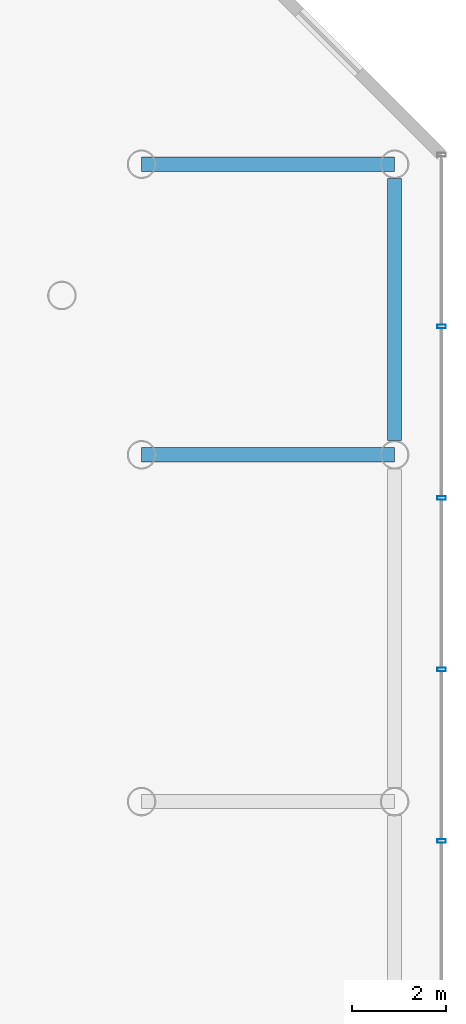
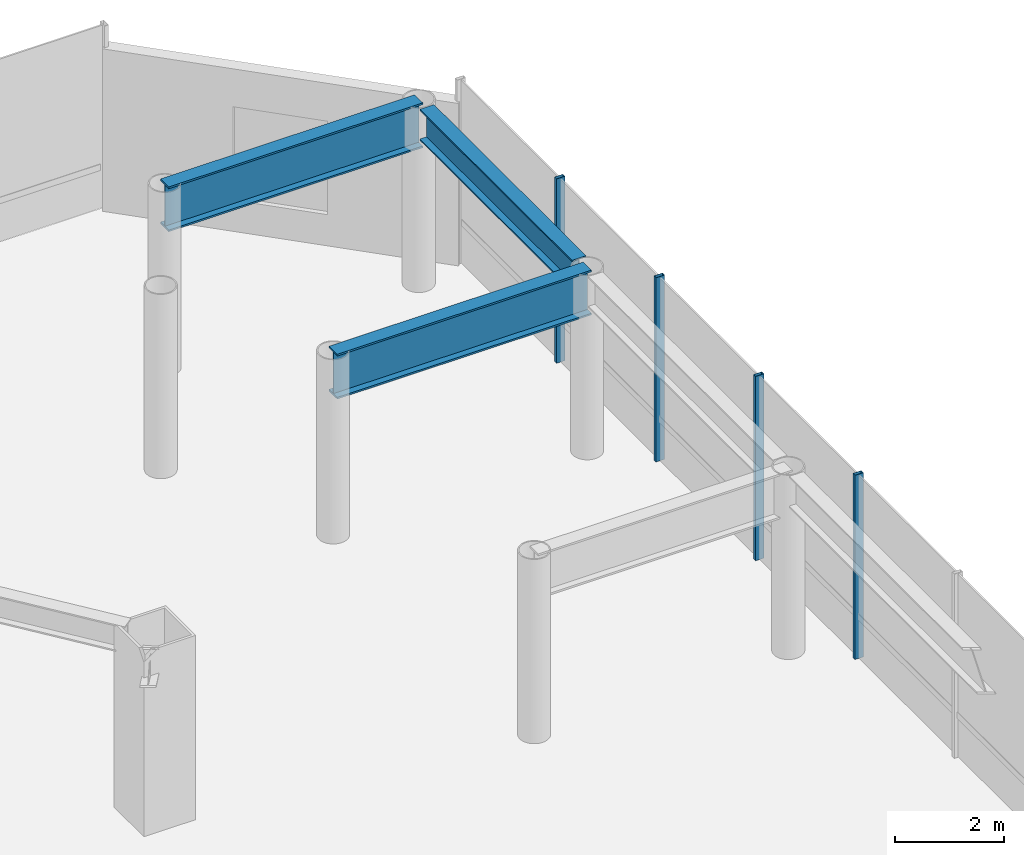
# One storey, part 30 of 37: 4 members, 3 beams, 1 element without a shape of its own.
"""IFC4 building model written with IfcOpenShell, lengths in metres."""

from ifc_helpers import new_model, si_unit, direction, frame, origin, origin_2d, place, context, subcontext, project, spatial, hollow_rectangle, i_section, extrude, material, layer, layer_set, material_profile, profile_set, type_object, element, aggregate, save


model = new_model("IFC4")

# Units and contexts
model_context = context("Model", 3, precision=1e-05, world=origin(), true_north=direction((0.0, 1.0)))
body_context = subcontext(model_context, "Body", "Model", "MODEL_VIEW")
ifc_project = project(units=[si_unit("LENGTHUNIT", "METRE"), si_unit("AREAUNIT", "SQUARE_METRE"), si_unit("VOLUMEUNIT", "CUBIC_METRE"), si_unit("PLANEANGLEUNIT", "RADIAN"), si_unit("MASSUNIT", "GRAM", prefix="KILO")], contexts=[model_context])

# Site, building, storey
site_placement = place(None, origin())
site = spatial("IfcSite", under=ifc_project, at=site_placement, CompositionType="ELEMENT")
building_placement = place(site_placement, origin())
building = spatial("IfcBuilding", under=site, at=building_placement, Name="Zarrinselat Tower", CompositionType="ELEMENT")
storey_placement = place(building_placement, frame((0.0, 0.0, 9.52001953125)))
storey = spatial("IfcBuildingStorey", under=building, at=storey_placement, Name="L02", CompositionType="ELEMENT", Elevation=9.52001953125)

# Beams
ifc_material_1 = material(Name="Steel S355J2", Category="steel")
ifc_material_profile_1 = material_profile(ifc_material_1, i_section(OverallWidth=0.300048828125, OverallDepth=0.699951171875, WebThickness=0.01708984375, FlangeThickness=0.031982421875, at=origin_2d()), Name="HEB 700")
ifc_profile_set_1 = profile_set([ifc_material_profile_1], Name="Steel S355J2")
beam_type_1 = type_object("IfcBeamType", Name="BM-HEB700", PredefinedType="SPANDREL", material=ifc_profile_set_1)
beam_placement = place(storey_placement, frame((73.39990234375, 40.89990234375, 3.7900390625), z_axis=(0.0, 1.0, 0.0), x_axis=(-1.0, 0.0, 0.0)))
element("IfcBeam", 1, at=beam_placement, inside=storey, type_object=beam_type_1, Name="L02 Podium Perimeter Beam E-40", PredefinedType="SPANDREL", context=body_context, shape_type="SweptSolid", body=[
    extrude(i_section(OverallWidth=0.300048828125, OverallDepth=0.699951171875, WebThickness=0.01708984375, FlangeThickness=0.031982421875, at=origin_2d()), origin(), (0.0, 0.0, 1.0), 5.60009765625),
])
ifc_material_2 = material(Name="Steel S460M", Category="steel")
ifc_material_profile_2 = material_profile(ifc_material_2, i_section(OverallWidth=0.302001953125, OverallDepth=1.008056640625, WebThickness=0.02099609375, FlangeThickness=0.0400390625, at=origin_2d()), Name="HEM 1000")
ifc_profile_set_2 = profile_set([ifc_material_profile_2], Name="Steel S460M")
beam_type_2 = type_object("IfcBeamType", Name="BM-PDTR-HEM1000", PredefinedType="BEAM", material=ifc_profile_set_2)
for number, where, z_axis, x_axis, name in (
    (2, (68.0, 40.60009765625, 3.635986328125), (1.0, 0.0, 0.0), (0.0, 1.0, 0.0), "L02 Podium Transfer Girder E-40"),
    (3, (68.0, 46.800048828125, 3.635986328125), (1.0, 0.0, 0.0), (0.0, 1.0, 0.0), "L02 Podium Transfer Girder E-46"),
):
    element("IfcBeam", number, at=place(storey_placement, frame(where, z_axis=z_axis, x_axis=x_axis)), inside=storey, type_object=beam_type_2, Name=name, PredefinedType="BEAM", context=body_context, shape_type="SweptSolid", body=[
        extrude(i_section(OverallWidth=0.302001953125, OverallDepth=1.008056640625, WebThickness=0.02099609375, FlangeThickness=0.0400390625, at=origin_2d()), origin(), (0.0, 0.0, 1.0), 5.39990234375),
    ])

# Curtain wall, members
ifc_material_3 = material(Name="Extruded Aluminium Alloy EN AW-6063 T6", Category="aluminium")
ifc_layer = layer(ifc_material_3, 0.2099609375)
ifc_layer_set = layer_set([ifc_layer], Name="Extruded Aluminium Alloy EN AW-6063 T6")
curtain_wall_type = type_object("IfcCurtainWallType", Name="CWS-POD", PredefinedType="NOTDEFINED", material=ifc_layer_set)
curtain_wall_placement = place(storey_placement, origin())
curtain_wall = element("IfcCurtainWall", 4, at=curtain_wall_placement, inside=storey, type_object=curtain_wall_type, Name="L02 Unitised Curtain Wall CW-L02-F3", PredefinedType="NOTDEFINED")
ifc_material_4 = material(Name="Extruded Aluminium Alloy EN AW-6063 T6", Category="aluminium")
ifc_material_profile_3 = material_profile(ifc_material_4, hollow_rectangle(XDim=0.080078125, YDim=0.179931640625, WallThickness=0.0048828125, at=origin_2d()), Name="RHS 180x80x5")
ifc_profile_set_3 = profile_set([ifc_material_profile_3], Name="Extruded Aluminium Alloy EN AW-6063 T6")
member_type = type_object("IfcMemberType", Name="MEM-CW-MUL", PredefinedType="MULLION", material=ifc_profile_set_3)
member_1_placement = place(storey_placement, frame((74.39990234375, 32.360107421875, 0.0), z_axis=(0.0, 0.0, 1.0), x_axis=(0.0, 1.0, 0.0)))
member_1 = element("IfcMember", 5, at=member_1_placement, type_object=member_type, Name="CW-L02-F3 Mullion 6", PredefinedType="MULLION", context=body_context, shape_type="SweptSolid", body=[
    extrude(hollow_rectangle(XDim=0.080078125, YDim=0.179931640625, WallThickness=0.0048828125, at=origin_2d()), origin(), (0.0, 0.0, 1.0), 4.139892578125),
])
member_2_placement = place(storey_placement, frame((74.39990234375, 36.02001953125, 0.0), z_axis=(0.0, 0.0, 1.0), x_axis=(0.0, 1.0, 0.0)))
member_2 = element("IfcMember", 6, at=member_2_placement, type_object=member_type, Name="CW-L02-F3 Mullion 7", PredefinedType="MULLION", context=body_context, shape_type="SweptSolid", body=[
    extrude(hollow_rectangle(XDim=0.080078125, YDim=0.179931640625, WallThickness=0.0048828125, at=origin_2d()), origin(), (0.0, 0.0, 1.0), 4.139892578125),
])
member_3_placement = place(storey_placement, frame((74.39990234375, 39.679931640625, 0.0), z_axis=(0.0, 0.0, 1.0), x_axis=(0.0, 1.0, 0.0)))
member_3 = element("IfcMember", 7, at=member_3_placement, type_object=member_type, Name="CW-L02-F3 Mullion 8", PredefinedType="MULLION", context=body_context, shape_type="SweptSolid", body=[
    extrude(hollow_rectangle(XDim=0.080078125, YDim=0.179931640625, WallThickness=0.0048828125, at=origin_2d()), origin(), (0.0, 0.0, 1.0), 4.139892578125),
])
member_4_placement = place(storey_placement, frame((74.39990234375, 43.340087890625, 0.0), z_axis=(0.0, 0.0, 1.0), x_axis=(0.0, 1.0, 0.0)))
member_4 = element("IfcMember", 8, at=member_4_placement, type_object=member_type, Name="CW-L02-F3 Mullion 9", PredefinedType="MULLION", context=body_context, shape_type="SweptSolid", body=[
    extrude(hollow_rectangle(XDim=0.080078125, YDim=0.179931640625, WallThickness=0.0048828125, at=origin_2d()), origin(), (0.0, 0.0, 1.0), 4.139892578125),
])
aggregate(curtain_wall, [member_1, member_2, member_3, member_4])

save(model, "model.ifc")
